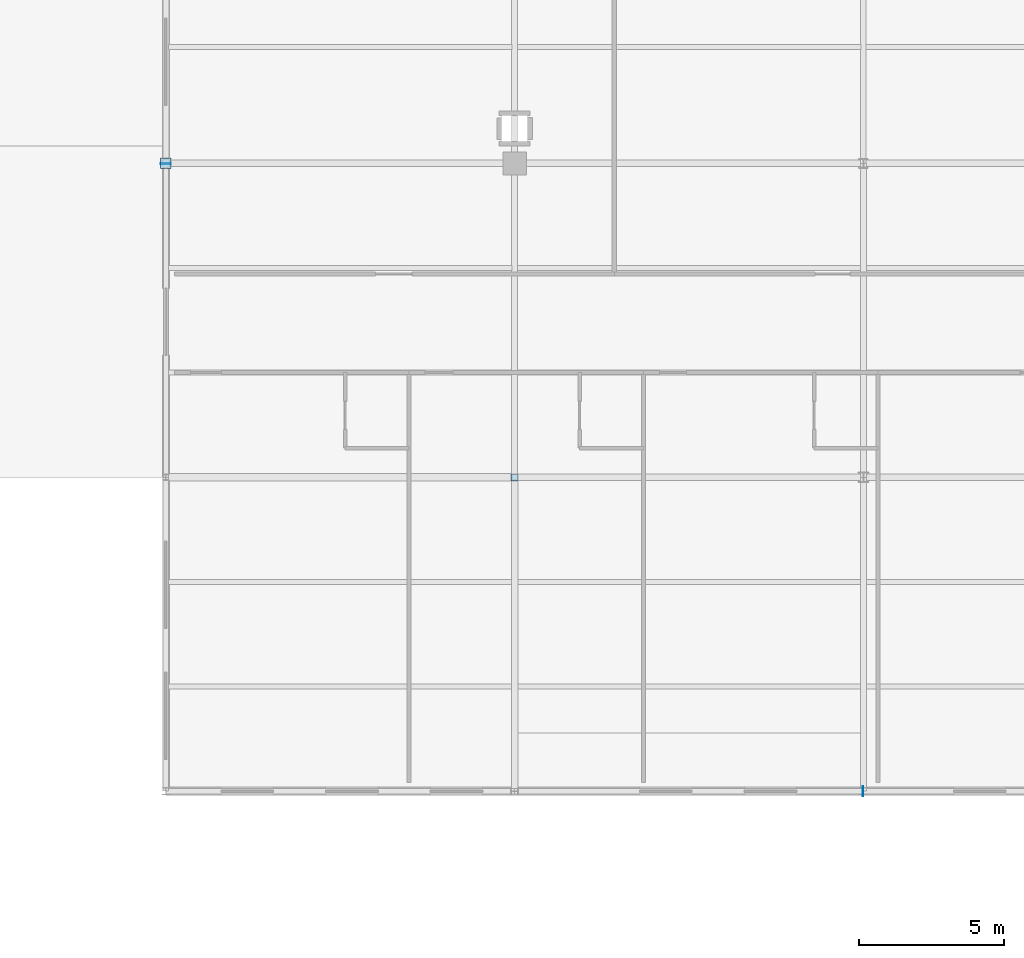
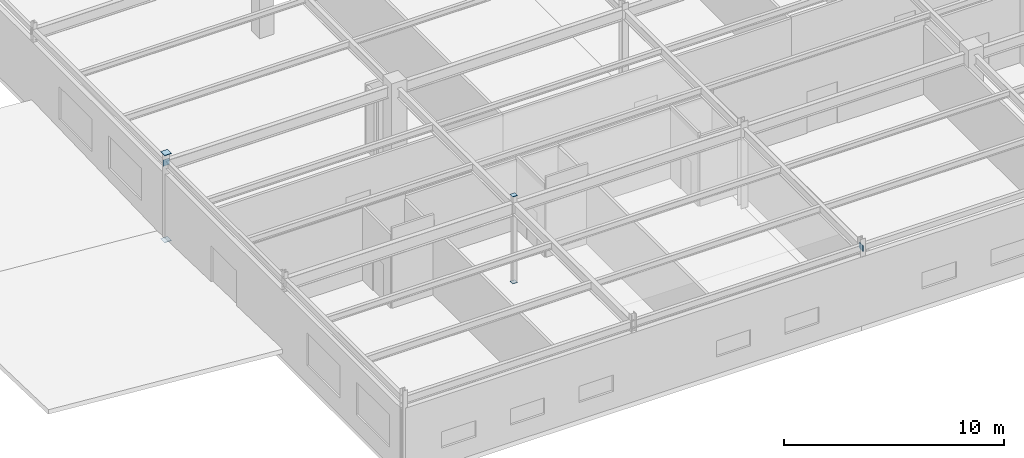
# One storey, part 130 of 199: 6 plates.
"""IFC4 building model written with IfcOpenShell, lengths in metres."""

from ifc_helpers import new_model, si_unit, direction, frame, origin, origin_2d, place, context, subcontext, project, spatial, rectangle, extrude, material, layer, layer_set, type_object, element, save


model = new_model("IFC4")

# Units and contexts
model_context = context("Model", 3, precision=1e-05, world=origin(), true_north=direction((0.0, 1.0)))
body_context = subcontext(model_context, "Body", "Model", "MODEL_VIEW")
ifc_project = project(units=[si_unit("LENGTHUNIT", "METRE"), si_unit("AREAUNIT", "SQUARE_METRE"), si_unit("VOLUMEUNIT", "CUBIC_METRE"), si_unit("PLANEANGLEUNIT", "RADIAN"), si_unit("MASSUNIT", "GRAM", prefix="KILO")], contexts=[model_context])

# Site, building, storey
site_placement = place(None, origin())
site = spatial("IfcSite", under=ifc_project, at=site_placement, CompositionType="ELEMENT")
building_placement = place(site_placement, origin())
building = spatial("IfcBuilding", under=site, at=building_placement, Name="Tarnwether General Hospital", CompositionType="ELEMENT")
storey_placement = place(building_placement, origin())
storey = spatial("IfcBuildingStorey", under=building, at=storey_placement, Name="L00", CompositionType="ELEMENT", Elevation=0.0)

# Plates
ifc_material = material(Name="Steel Grade 350 (350 MPa)", Category="steel")
ifc_layer = layer(ifc_material, 0.02490234375)
ifc_layer_set = layer_set([ifc_layer], Name="Steel Grade 350 (350 MPa)")
plate_type = type_object("IfcPlateType", Name="PT-GUS2", PredefinedType="USERDEFINED", material=ifc_layer_set)
for number, where, z_axis, x_axis, name in (
    (1, (0.0, 21.60009765625, -0.02490234375), (0.0, 0.0, 1.0), (1.0, 0.0, 0.0), "Hollow Section Welded End Cap Plate 0001"),
    (2, (0.0, 21.60009765625, 4.800048828125), (0.0, 0.0, 1.0), (1.0, 0.0, 0.0), "Hollow Section Welded End Cap Plate 0002"),
):
    element("IfcPlate", number, at=place(storey_placement, frame(where, z_axis=z_axis, x_axis=x_axis)), inside=storey, type_object=plate_type, Name=name, ObjectType="GUSSET", PredefinedType="USERDEFINED", context=body_context, shape_type="SweptSolid", body=[
        extrude(rectangle(XDim=0.364013671875, YDim=0.364013671875, at=origin_2d()), origin(), (0.0, 0.0, 1.0), 0.02490234375),
    ])
for number, where, z_axis, x_axis, name in (
    (3, (12.0, 10.800048828125, -0.02490234375), (0.0, 0.0, 1.0), (1.0, 0.0, 0.0), "Hollow Section Welded End Cap Plate 0035"),
    (4, (12.0, 10.800048828125, 4.800048828125), (0.0, 0.0, 1.0), (1.0, 0.0, 0.0), "Hollow Section Welded End Cap Plate 0036"),
):
    element("IfcPlate", number, at=place(storey_placement, frame(where, z_axis=z_axis, x_axis=x_axis)), inside=storey, type_object=plate_type, Name=name, ObjectType="GUSSET", PredefinedType="USERDEFINED", context=body_context, shape_type="SweptSolid", body=[
        extrude(rectangle(XDim=0.239990234375, YDim=0.239990234375, at=origin_2d()), origin(), (0.0, 0.0, 1.0), 0.02490234375),
    ])
for number, where, z_axis, x_axis, name in (
    (5, (0.0, 21.58740234375, 4.125), (0.0, 0.0, 1.0), (0.0, 1.0, 0.0), "Hollow Section Welded End Cap Plate 0857"),
    (6, (23.987548828125, 0.0, 4.125), (0.0, 0.0, 1.0), (1.0, 0.0, 0.0), "Hollow Section Welded End Cap Plate 0869"),
):
    element("IfcPlate", number, at=place(storey_placement, frame(where, z_axis=z_axis, x_axis=x_axis)), inside=storey, type_object=plate_type, Name=name, ObjectType="GUSSET", PredefinedType="USERDEFINED", context=body_context, shape_type="SweptSolid", body=[
        extrude(rectangle(XDim=0.02490234375, YDim=0.340087890625, at=origin_2d()), origin(), (0.0, 0.0, 1.0), 0.340087890625),
    ])

save(model, "model.ifc")
